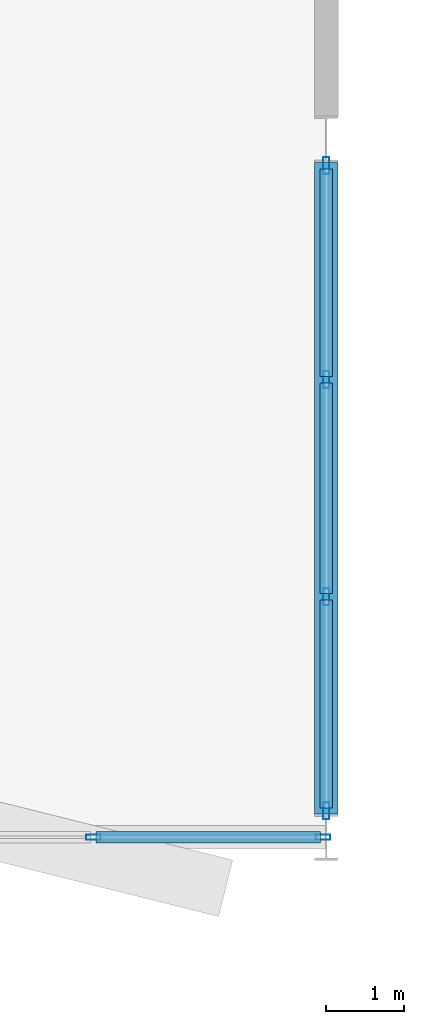
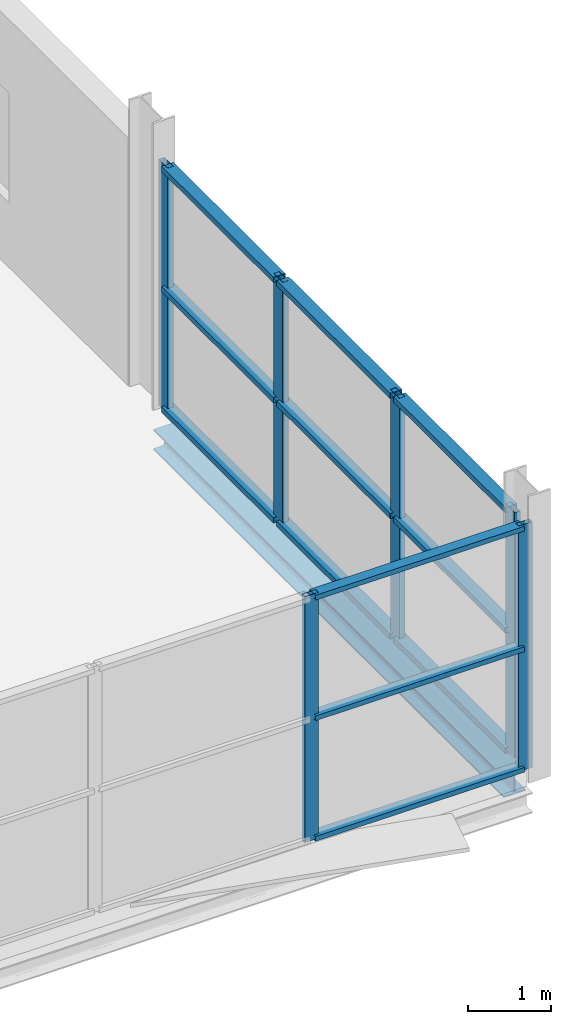
# One storey, part 49 of 88: 18 members, 1 beam, 2 elements without a shape of their own.
"""IFC4 building model written with IfcOpenShell, lengths in metres."""

from ifc_helpers import new_model, si_unit, direction, frame, origin, origin_2d, place, context, subcontext, project, spatial, hollow_rectangle, i_section, extrude, material, layer, layer_set, material_profile, profile_set, type_object, element, aggregate, save


model = new_model("IFC4")

# Units and contexts
model_context = context("Model", 3, precision=1e-05, world=origin(), true_north=direction((0.0, 1.0)))
body_context = subcontext(model_context, "Body", "Model", "MODEL_VIEW")
ifc_project = project(units=[si_unit("LENGTHUNIT", "METRE"), si_unit("AREAUNIT", "SQUARE_METRE"), si_unit("VOLUMEUNIT", "CUBIC_METRE"), si_unit("PLANEANGLEUNIT", "RADIAN"), si_unit("MASSUNIT", "GRAM", prefix="KILO")], contexts=[model_context])

# Site, building, storey
site_placement = place(None, origin())
site = spatial("IfcSite", under=ifc_project, at=site_placement, CompositionType="ELEMENT")
building_placement = place(site_placement, origin())
building = spatial("IfcBuilding", under=site, at=building_placement, Name="Deido Ridge Mobility Hub", CompositionType="ELEMENT")
storey_placement = place(building_placement, frame((0.0, 0.0, 16.800048828125)))
storey = spatial("IfcBuildingStorey", under=building, at=storey_placement, Name="L04", CompositionType="ELEMENT", Elevation=16.800048828125)

# Curtain wall, members
ifc_material_1 = material(Name="Anodised aluminium EN AW-6063 T6", Category="aluminium")
ifc_layer_1 = layer(ifc_material_1, 0.22509765625, Name="Anodised aluminium EN AW-6063 T6")
ifc_layer_set_1 = layer_set([ifc_layer_1], Name="Anodised aluminium EN AW-6063 T6")
curtain_wall_type_1 = type_object("IfcCurtainWallType", Name="CW-UF-5", PredefinedType="USERDEFINED", material=ifc_layer_set_1)
curtain_wall_1_placement = place(storey_placement, origin())
curtain_wall_1 = element("IfcCurtainWall", 1, at=curtain_wall_1_placement, inside=storey, type_object=curtain_wall_type_1, Name="Unitised curtain wall CW5", ObjectType="UNITISED FACADE", PredefinedType="USERDEFINED")
ifc_material_profile_1 = material_profile(ifc_material_1, hollow_rectangle(XDim=0.070068359375, YDim=0.18994140625, WallThickness=0.00390625, at=origin_2d()), Name="RHS 70x190x4")
ifc_profile_set_1 = profile_set([ifc_material_profile_1], Name="Anodised aluminium EN AW-6063 T6")
member_type_1 = type_object("IfcMemberType", Name="MEM-MUL-70X190", PredefinedType="MULLION", material=ifc_profile_set_1)
member_1_placement = place(storey_placement, frame((176.997314453125, 0.0, 0.0), z_axis=(0.0, 0.0, 1.0), x_axis=(0.0, 1.0, 0.0)))
member_1 = element("IfcMember", 2, at=member_1_placement, type_object=member_type_1, Name="CW5 mullion 3", PredefinedType="MULLION", context=body_context, shape_type="SweptSolid", body=[
    extrude(hollow_rectangle(XDim=0.070068359375, YDim=0.18994140625, WallThickness=0.00390625, at=origin_2d()), origin(), (0.0, 0.0, 1.0), 3.599853515625),
])
member_2_placement = place(storey_placement, frame((179.957275390625, 0.0, 0.0), z_axis=(0.0, 0.0, 1.0), x_axis=(0.0, 1.0, 0.0)))
member_2 = element("IfcMember", 3, at=member_2_placement, type_object=member_type_1, Name="CW5 mullion 4", PredefinedType="MULLION", context=body_context, shape_type="SweptSolid", body=[
    extrude(hollow_rectangle(XDim=0.070068359375, YDim=0.18994140625, WallThickness=0.00390625, at=origin_2d()), origin(), (0.0, 0.0, 1.0), 3.599853515625),
])

ifc_layer_2 = layer(ifc_material_1, 0.2548828125, Name="Anodised aluminium EN AW-6063 T6")
ifc_layer_set_2 = layer_set([ifc_layer_2], Name="Anodised aluminium EN AW-6063 T6")
curtain_wall_type_2 = type_object("IfcCurtainWallType", Name="CW-UF-7", PredefinedType="USERDEFINED", material=ifc_layer_set_2)
curtain_wall_2_placement = place(storey_placement, origin())
curtain_wall_2 = element("IfcCurtainWall", 4, at=curtain_wall_2_placement, inside=storey, type_object=curtain_wall_type_2, Name="Unitised curtain wall CW7", ObjectType="UNITISED FACADE", PredefinedType="USERDEFINED")
ifc_material_profile_2 = material_profile(ifc_material_1, hollow_rectangle(XDim=0.080078125, YDim=0.219970703125, WallThickness=0.00390625, at=origin_2d()), Name="RHS 80x220x4")
ifc_profile_set_2 = profile_set([ifc_material_profile_2], Name="Anodised aluminium EN AW-6063 T6")
member_type_2 = type_object("IfcMemberType", Name="MEM-MUL-80X220", PredefinedType="MULLION", material=ifc_profile_set_2)
member_3_placement = place(storey_placement, frame((180.0, 0.340087890625, 0.0), z_axis=(0.0, 0.0, 1.0), x_axis=(-1.0, 0.0, 0.0)))
member_3 = element("IfcMember", 5, at=member_3_placement, type_object=member_type_2, Name="CW7 mullion 1", PredefinedType="MULLION", context=body_context, shape_type="SweptSolid", body=[
    extrude(hollow_rectangle(XDim=0.080078125, YDim=0.219970703125, WallThickness=0.00390625, at=origin_2d()), origin(), (0.0, 0.0, 1.0), 3.599853515625),
])
member_4_placement = place(storey_placement, frame((180.0, 3.10009765625, 0.0), z_axis=(0.0, 0.0, 1.0), x_axis=(-1.0, 0.0, 0.0)))
member_4 = element("IfcMember", 6, at=member_4_placement, type_object=member_type_2, Name="CW7 mullion 2", PredefinedType="MULLION", context=body_context, shape_type="SweptSolid", body=[
    extrude(hollow_rectangle(XDim=0.080078125, YDim=0.219970703125, WallThickness=0.00390625, at=origin_2d()), origin(), (0.0, 0.0, 1.0), 3.599853515625),
])
member_5_placement = place(storey_placement, frame((180.0, 5.89990234375, 0.0), z_axis=(0.0, 0.0, 1.0), x_axis=(-1.0, 0.0, 0.0)))
member_5 = element("IfcMember", 7, at=member_5_placement, type_object=member_type_2, Name="CW7 mullion 3", PredefinedType="MULLION", context=body_context, shape_type="SweptSolid", body=[
    extrude(hollow_rectangle(XDim=0.080078125, YDim=0.219970703125, WallThickness=0.00390625, at=origin_2d()), origin(), (0.0, 0.0, 1.0), 3.599853515625),
])
member_6_placement = place(storey_placement, frame((180.0, 8.659912109375, 0.0), z_axis=(0.0, 0.0, 1.0), x_axis=(-1.0, 0.0, 0.0)))
member_6 = element("IfcMember", 8, at=member_6_placement, type_object=member_type_2, Name="CW7 mullion 4", PredefinedType="MULLION", context=body_context, shape_type="SweptSolid", body=[
    extrude(hollow_rectangle(XDim=0.080078125, YDim=0.219970703125, WallThickness=0.00390625, at=origin_2d()), origin(), (0.0, 0.0, 1.0), 3.599853515625),
])

# Member
ifc_material_profile_3 = material_profile(ifc_material_1, hollow_rectangle(XDim=0.14501953125, YDim=0.070068359375, WallThickness=0.00390625, at=origin_2d()), Name="RHS 145x70x4")
ifc_profile_set_3 = profile_set([ifc_material_profile_3], Name="Anodised aluminium EN AW-6063 T6")
member_type_3 = type_object("IfcMemberType", Name="MEM-TRN-145X70", PredefinedType="USERDEFINED", material=ifc_profile_set_3)
member_7_placement = place(storey_placement, frame((177.032470703125, 0.0, 0.034912109375), z_axis=(1.0, 0.0, 0.0), x_axis=(0.0, 1.0, 0.0)))
member_7 = element("IfcMember", 9, at=member_7_placement, type_object=member_type_3, Name="CW5 transom 3.1", ObjectType="TRANSOM", PredefinedType="USERDEFINED", context=body_context, shape_type="SweptSolid", body=[
    extrude(hollow_rectangle(XDim=0.14501953125, YDim=0.070068359375, WallThickness=0.00390625, at=origin_2d()), origin(), (0.0, 0.0, 1.0), 2.889892578125),
])

member_8_placement = place(storey_placement, frame((177.032470703125, 0.0, 1.800048828125), z_axis=(1.0, 0.0, 0.0), x_axis=(0.0, 1.0, 0.0)))
member_8 = element("IfcMember", 10, at=member_8_placement, type_object=member_type_3, Name="CW5 transom 3.2", ObjectType="TRANSOM", PredefinedType="USERDEFINED", context=body_context, shape_type="SweptSolid", body=[
    extrude(hollow_rectangle(XDim=0.14501953125, YDim=0.070068359375, WallThickness=0.00390625, at=origin_2d()), origin(), (0.0, 0.0, 1.0), 2.889892578125),
])

member_9_placement = place(storey_placement, frame((177.032470703125, 0.0, 3.56494140625), z_axis=(1.0, 0.0, 0.0), x_axis=(0.0, 1.0, 0.0)))
member_9 = element("IfcMember", 11, at=member_9_placement, type_object=member_type_3, Name="CW5 transom 3.3", ObjectType="TRANSOM", PredefinedType="USERDEFINED", context=body_context, shape_type="SweptSolid", body=[
    extrude(hollow_rectangle(XDim=0.14501953125, YDim=0.070068359375, WallThickness=0.00390625, at=origin_2d()), origin(), (0.0, 0.0, 1.0), 2.889892578125),
])

aggregate(curtain_wall_1, [member_1, member_2, member_7, member_8, member_9])

ifc_material_profile_4 = material_profile(ifc_material_1, hollow_rectangle(XDim=0.1650390625, YDim=0.080078125, WallThickness=0.00390625, at=origin_2d()), Name="RHS 165x80x4")
ifc_profile_set_4 = profile_set([ifc_material_profile_4], Name="Anodised aluminium EN AW-6063 T6")
member_type_4 = type_object("IfcMemberType", Name="MEM-TRN-165X80", PredefinedType="USERDEFINED", material=ifc_profile_set_4)
member_10_placement = place(storey_placement, frame((180.0, 0.3798828125, 0.0400390625), z_axis=(0.0, 1.0, 0.0), x_axis=(-1.0, 0.0, 0.0)))
member_10 = element("IfcMember", 12, at=member_10_placement, type_object=member_type_4, Name="CW7 transom 1.1", ObjectType="TRANSOM", PredefinedType="USERDEFINED", context=body_context, shape_type="SweptSolid", body=[
    extrude(hollow_rectangle(XDim=0.1650390625, YDim=0.080078125, WallThickness=0.00390625, at=origin_2d()), origin(), (0.0, 0.0, 1.0), 2.68017578125),
])

member_11_placement = place(storey_placement, frame((180.0, 0.3798828125, 1.800048828125), z_axis=(0.0, 1.0, 0.0), x_axis=(-1.0, 0.0, 0.0)))
member_11 = element("IfcMember", 13, at=member_11_placement, type_object=member_type_4, Name="CW7 transom 1.2", ObjectType="TRANSOM", PredefinedType="USERDEFINED", context=body_context, shape_type="SweptSolid", body=[
    extrude(hollow_rectangle(XDim=0.1650390625, YDim=0.080078125, WallThickness=0.00390625, at=origin_2d()), origin(), (0.0, 0.0, 1.0), 2.68017578125),
])

member_12_placement = place(storey_placement, frame((180.0, 0.3798828125, 3.56005859375), z_axis=(0.0, 1.0, 0.0), x_axis=(-1.0, 0.0, 0.0)))
member_12 = element("IfcMember", 14, at=member_12_placement, type_object=member_type_4, Name="CW7 transom 1.3", ObjectType="TRANSOM", PredefinedType="USERDEFINED", context=body_context, shape_type="SweptSolid", body=[
    extrude(hollow_rectangle(XDim=0.1650390625, YDim=0.080078125, WallThickness=0.00390625, at=origin_2d()), origin(), (0.0, 0.0, 1.0), 2.68017578125),
])

member_13_placement = place(storey_placement, frame((180.0, 3.139892578125, 0.0400390625), z_axis=(0.0, 1.0, 0.0), x_axis=(-1.0, 0.0, 0.0)))
member_13 = element("IfcMember", 15, at=member_13_placement, type_object=member_type_4, Name="CW7 transom 2.1", ObjectType="TRANSOM", PredefinedType="USERDEFINED", context=body_context, shape_type="SweptSolid", body=[
    extrude(hollow_rectangle(XDim=0.1650390625, YDim=0.080078125, WallThickness=0.00390625, at=origin_2d()), origin(), (0.0, 0.0, 1.0), 2.72021484375),
])

member_14_placement = place(storey_placement, frame((180.0, 3.139892578125, 1.800048828125), z_axis=(0.0, 1.0, 0.0), x_axis=(-1.0, 0.0, 0.0)))
member_14 = element("IfcMember", 16, at=member_14_placement, type_object=member_type_4, Name="CW7 transom 2.2", ObjectType="TRANSOM", PredefinedType="USERDEFINED", context=body_context, shape_type="SweptSolid", body=[
    extrude(hollow_rectangle(XDim=0.1650390625, YDim=0.080078125, WallThickness=0.00390625, at=origin_2d()), origin(), (0.0, 0.0, 1.0), 2.72021484375),
])

member_15_placement = place(storey_placement, frame((180.0, 3.139892578125, 3.56005859375), z_axis=(0.0, 1.0, 0.0), x_axis=(-1.0, 0.0, 0.0)))
member_15 = element("IfcMember", 17, at=member_15_placement, type_object=member_type_4, Name="CW7 transom 2.3", ObjectType="TRANSOM", PredefinedType="USERDEFINED", context=body_context, shape_type="SweptSolid", body=[
    extrude(hollow_rectangle(XDim=0.1650390625, YDim=0.080078125, WallThickness=0.00390625, at=origin_2d()), origin(), (0.0, 0.0, 1.0), 2.72021484375),
])

member_16_placement = place(storey_placement, frame((180.0, 5.93994140625, 0.0400390625), z_axis=(0.0, 1.0, 0.0), x_axis=(-1.0, 0.0, 0.0)))
member_16 = element("IfcMember", 18, at=member_16_placement, type_object=member_type_4, Name="CW7 transom 3.1", ObjectType="TRANSOM", PredefinedType="USERDEFINED", context=body_context, shape_type="SweptSolid", body=[
    extrude(hollow_rectangle(XDim=0.1650390625, YDim=0.080078125, WallThickness=0.00390625, at=origin_2d()), origin(), (0.0, 0.0, 1.0), 2.68017578125),
])

member_17_placement = place(storey_placement, frame((180.0, 5.93994140625, 1.800048828125), z_axis=(0.0, 1.0, 0.0), x_axis=(-1.0, 0.0, 0.0)))
member_17 = element("IfcMember", 19, at=member_17_placement, type_object=member_type_4, Name="CW7 transom 3.2", ObjectType="TRANSOM", PredefinedType="USERDEFINED", context=body_context, shape_type="SweptSolid", body=[
    extrude(hollow_rectangle(XDim=0.1650390625, YDim=0.080078125, WallThickness=0.00390625, at=origin_2d()), origin(), (0.0, 0.0, 1.0), 2.68017578125),
])

member_18_placement = place(storey_placement, frame((180.0, 5.93994140625, 3.56005859375), z_axis=(0.0, 1.0, 0.0), x_axis=(-1.0, 0.0, 0.0)))
member_18 = element("IfcMember", 20, at=member_18_placement, type_object=member_type_4, Name="CW7 transom 3.3", ObjectType="TRANSOM", PredefinedType="USERDEFINED", context=body_context, shape_type="SweptSolid", body=[
    extrude(hollow_rectangle(XDim=0.1650390625, YDim=0.080078125, WallThickness=0.00390625, at=origin_2d()), origin(), (0.0, 0.0, 1.0), 2.68017578125),
])

aggregate(curtain_wall_2, [member_3, member_4, member_5, member_6, member_10, member_11, member_12, member_13, member_14, member_15, member_16, member_17, member_18])

# Beam
ifc_material_2 = material(Name="Steel S355J2 EN 10025-2", Category="steel")
ifc_material_profile_5 = material_profile(ifc_material_2, i_section(OverallWidth=0.300048828125, OverallDepth=0.300048828125, WebThickness=0.010986328125, FlangeThickness=0.01904296875, FilletRadius=0.027099609375, at=origin_2d()), Name="HEB 300")
ifc_profile_set_5 = profile_set([ifc_material_profile_5], Name="Steel S355J2 EN 10025-2")
beam_type = type_object("IfcBeamType", Name="SPD-HEB300", PredefinedType="SPANDREL", material=ifc_profile_set_5)
beam_placement = place(storey_placement, frame((180.0, 0.300048828125, -0.425048828125), z_axis=(0.0, 1.0, 0.0), x_axis=(-1.0, 0.0, 0.0)))
element("IfcBeam", 21, at=beam_placement, inside=storey, type_object=beam_type, Name="Floor beam SP1", PredefinedType="SPANDREL", context=body_context, shape_type="SweptSolid", body=[
    extrude(i_section(OverallWidth=0.300048828125, OverallDepth=0.300048828125, WebThickness=0.010986328125, FlangeThickness=0.01904296875, FilletRadius=0.027099609375, at=origin_2d()), origin(), (0.0, 0.0, 1.0), 8.39990234375),
])

save(model, "model.ifc")
